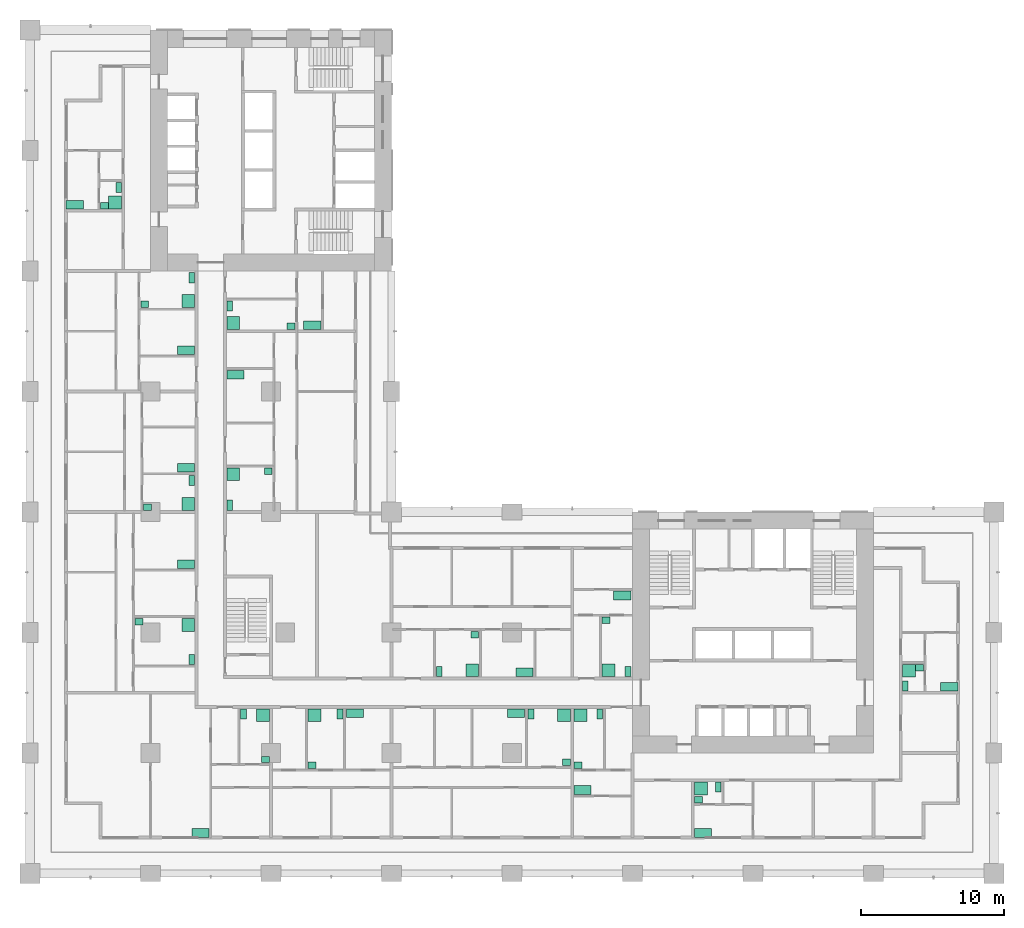
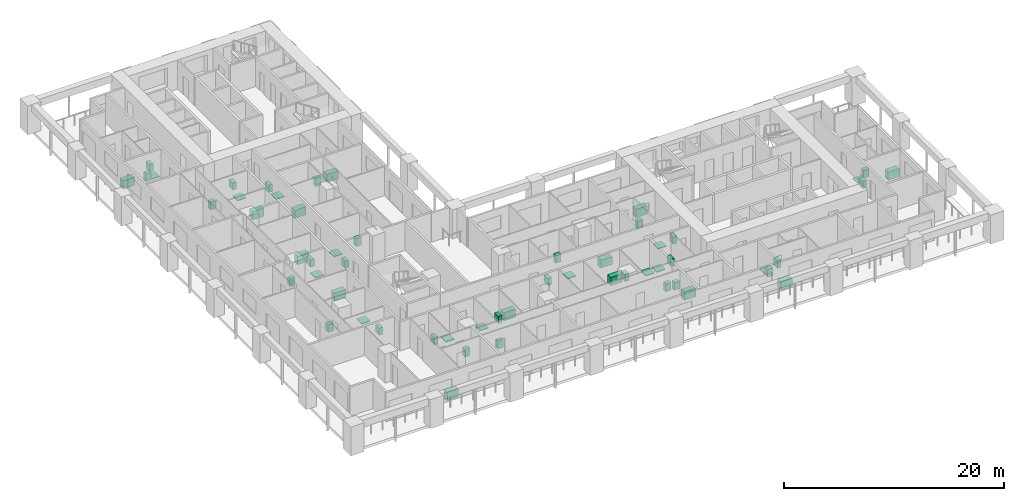
# One storey, part 19 of 19: 56 sanitary terminals.
"""IFC4 building model written with IfcOpenShell, lengths in metres."""

from ifc_helpers import new_model, si_unit, direction, frame, origin, origin_2d, place, context, subcontext, project, spatial, rectangle, extrude, material, element, save


model = new_model("IFC4")

# Units and contexts
model_context = context("Model", 3, precision=1e-05, world=origin(), true_north=direction((0.0, 1.0)))
body_context = subcontext(model_context, "Body", "Model", "MODEL_VIEW")
ifc_project = project(units=[si_unit("LENGTHUNIT", "METRE"), si_unit("AREAUNIT", "SQUARE_METRE"), si_unit("VOLUMEUNIT", "CUBIC_METRE"), si_unit("PLANEANGLEUNIT", "RADIAN"), si_unit("MASSUNIT", "GRAM", prefix="KILO")], contexts=[model_context])

# Site, building, storey
site_placement = place(None, origin())
site = spatial("IfcSite", under=ifc_project, at=site_placement, CompositionType="ELEMENT")
building_placement = place(site_placement, origin())
building = spatial("IfcBuilding", under=site, at=building_placement, Name="Vermilion Gate Residences", CompositionType="ELEMENT")
storey_placement = place(building_placement, frame((0.0, 0.0, 46.199951171875)))
storey = spatial("IfcBuildingStorey", under=building, at=storey_placement, Name="L10", CompositionType="ELEMENT", Elevation=46.199951171875)

# Sanitary terminals
ifc_material_1 = material(Name="Stainless steel", Category="steel")
sanitary_terminal_1_placement = place(storey_placement, frame((11.8798828125, 2.820068359375, 0.0), z_axis=(0.0, 0.0, 1.0), x_axis=(1.0, 0.0, 0.0)))
element("IfcSanitaryTerminal", 1, at=sanitary_terminal_1_placement, inside=storey, material=ifc_material_1, Name="Kitchen sink", PredefinedType="SINK", context=body_context, shape_type="SweptSolid", body=[
    extrude(rectangle(XDim=1.199951171875, YDim=0.60009765625, at=origin_2d()), origin(), (0.0, 0.0, 1.0), 0.89990234375),
])
ifc_material_2 = material(Name="Vitreous china")
sanitary_terminal_2_placement = place(storey_placement, frame((16.22998046875, 11.030029296875, 0.0), z_axis=(0.0, 0.0, 1.0), x_axis=(1.0, 0.0, 0.0)))
element("IfcSanitaryTerminal", 2, at=sanitary_terminal_2_placement, inside=storey, material=ifc_material_2, Name="Shower tray", PredefinedType="SHOWER", context=body_context, shape_type="SweptSolid", body=[
    extrude(rectangle(XDim=0.89990234375, YDim=0.89990234375, at=origin_2d()), origin(), (0.0, 0.0, 1.0), 0.10009765625),
])
sanitary_terminal_3_placement = place(storey_placement, frame((14.8798828125, 11.1298828125, 0.0), z_axis=(0.0, 0.0, 1.0), x_axis=(1.0, 0.0, 0.0)))
element("IfcSanitaryTerminal", 3, at=sanitary_terminal_3_placement, inside=storey, material=ifc_material_2, Name="Toilet", PredefinedType="TOILETPAN", context=body_context, shape_type="SweptSolid", body=[
    extrude(rectangle(XDim=0.39990234375, YDim=0.699951171875, at=origin_2d()), origin(), (0.0, 0.0, 1.0), 0.800048828125),
])
sanitary_terminal_4_placement = place(storey_placement, frame((16.405029296875, 7.945068359375, 0.0), z_axis=(0.0, 0.0, 1.0), x_axis=(1.0, 0.0, 0.0)))
element("IfcSanitaryTerminal", 4, at=sanitary_terminal_4_placement, inside=storey, material=ifc_material_2, Name="Wash basin", PredefinedType="WASHHANDBASIN", context=body_context, shape_type="SweptSolid", body=[
    extrude(rectangle(XDim=0.550048828125, YDim=0.449951171875, at=origin_2d()), origin(), (0.0, 0.0, 1.0), 0.85009765625),
])
sanitary_terminal_5_placement = place(storey_placement, frame((19.8369140625, 11.030029296875, 0.0), z_axis=(0.0, 0.0, 1.0), x_axis=(1.0, 0.0, 0.0)))
element("IfcSanitaryTerminal", 5, at=sanitary_terminal_5_placement, inside=storey, material=ifc_material_2, Name="Shower tray", PredefinedType="SHOWER", context=body_context, shape_type="SweptSolid", body=[
    extrude(rectangle(XDim=0.89990234375, YDim=0.89990234375, at=origin_2d()), origin(), (0.0, 0.0, 1.0), 0.10009765625),
])
sanitary_terminal_6_placement = place(storey_placement, frame((21.613037109375, 11.1298828125, 0.0), z_axis=(0.0, 0.0, 1.0), x_axis=(1.0, 0.0, 0.0)))
element("IfcSanitaryTerminal", 6, at=sanitary_terminal_6_placement, inside=storey, material=ifc_material_2, Name="Toilet", PredefinedType="TOILETPAN", context=body_context, shape_type="SweptSolid", body=[
    extrude(rectangle(XDim=0.39990234375, YDim=0.699951171875, at=origin_2d()), origin(), (0.0, 0.0, 1.0), 0.800048828125),
])
sanitary_terminal_7_placement = place(storey_placement, frame((19.662109375, 7.544921875, 0.0), z_axis=(0.0, 0.0, 1.0), x_axis=(1.0, 0.0, 0.0)))
element("IfcSanitaryTerminal", 7, at=sanitary_terminal_7_placement, inside=storey, material=ifc_material_2, Name="Wash basin", PredefinedType="WASHHANDBASIN", context=body_context, shape_type="SweptSolid", body=[
    extrude(rectangle(XDim=0.550048828125, YDim=0.449951171875, at=origin_2d()), origin(), (0.0, 0.0, 1.0), 0.85009765625),
])
for number, where, z_axis, x_axis, name in (
    (8, (22.653076171875, 11.179931640625, 0.0), (0.0, 0.0, 1.0), (1.0, 0.0, 0.0), "Kitchen sink"),
    (9, (33.8798828125, 11.179931640625, 0.0), (0.0, 0.0, 1.0), (1.0, 0.0, 0.0), "Kitchen sink"),
):
    element("IfcSanitaryTerminal", number, at=place(storey_placement, frame(where, z_axis=z_axis, x_axis=x_axis)), inside=storey, material=ifc_material_1, Name=name, PredefinedType="SINK", context=body_context, shape_type="SweptSolid", body=[
        extrude(rectangle(XDim=1.199951171875, YDim=0.60009765625, at=origin_2d()), origin(), (0.0, 0.0, 1.0), 0.89990234375),
    ])
sanitary_terminal_8_placement = place(storey_placement, frame((37.22998046875, 11.030029296875, 0.0), z_axis=(0.0, 0.0, 1.0), x_axis=(1.0, 0.0, 0.0)))
element("IfcSanitaryTerminal", 10, at=sanitary_terminal_8_placement, inside=storey, material=ifc_material_2, Name="Shower tray", PredefinedType="SHOWER", context=body_context, shape_type="SweptSolid", body=[
    extrude(rectangle(XDim=0.89990234375, YDim=0.89990234375, at=origin_2d()), origin(), (0.0, 0.0, 1.0), 0.10009765625),
])
sanitary_terminal_9_placement = place(storey_placement, frame((34.919921875, 11.1298828125, 0.0), z_axis=(0.0, 0.0, 1.0), x_axis=(1.0, 0.0, 0.0)))
element("IfcSanitaryTerminal", 11, at=sanitary_terminal_9_placement, inside=storey, material=ifc_material_2, Name="Toilet", PredefinedType="TOILETPAN", context=body_context, shape_type="SweptSolid", body=[
    extrude(rectangle(XDim=0.39990234375, YDim=0.699951171875, at=origin_2d()), origin(), (0.0, 0.0, 1.0), 0.800048828125),
])
sanitary_terminal_10_placement = place(storey_placement, frame((37.405029296875, 7.7451171875, 0.0), z_axis=(0.0, 0.0, 1.0), x_axis=(1.0, 0.0, 0.0)))
element("IfcSanitaryTerminal", 12, at=sanitary_terminal_10_placement, inside=storey, material=ifc_material_2, Name="Wash basin", PredefinedType="WASHHANDBASIN", context=body_context, shape_type="SweptSolid", body=[
    extrude(rectangle(XDim=0.550048828125, YDim=0.449951171875, at=origin_2d()), origin(), (0.0, 0.0, 1.0), 0.85009765625),
])
sanitary_terminal_11_placement = place(storey_placement, frame((38.52001953125, 5.820068359375, 0.0), z_axis=(0.0, 0.0, 1.0), x_axis=(1.0, 0.0, 0.0)))
element("IfcSanitaryTerminal", 13, at=sanitary_terminal_11_placement, inside=storey, material=ifc_material_1, Name="Kitchen sink", PredefinedType="SINK", context=body_context, shape_type="SweptSolid", body=[
    extrude(rectangle(XDim=1.199951171875, YDim=0.60009765625, at=origin_2d()), origin(), (0.0, 0.0, 1.0), 0.89990234375),
])
sanitary_terminal_12_placement = place(storey_placement, frame((38.3701171875, 11.030029296875, 0.0), z_axis=(0.0, 0.0, 1.0), x_axis=(1.0, 0.0, 0.0)))
element("IfcSanitaryTerminal", 14, at=sanitary_terminal_12_placement, inside=storey, material=ifc_material_2, Name="Shower tray", PredefinedType="SHOWER", context=body_context, shape_type="SweptSolid", body=[
    extrude(rectangle(XDim=0.89990234375, YDim=0.89990234375, at=origin_2d()), origin(), (0.0, 0.0, 1.0), 0.10009765625),
])
sanitary_terminal_13_placement = place(storey_placement, frame((39.719970703125, 11.1298828125, 0.0), z_axis=(0.0, 0.0, 1.0), x_axis=(1.0, 0.0, 0.0)))
element("IfcSanitaryTerminal", 15, at=sanitary_terminal_13_placement, inside=storey, material=ifc_material_2, Name="Toilet", PredefinedType="TOILETPAN", context=body_context, shape_type="SweptSolid", body=[
    extrude(rectangle(XDim=0.39990234375, YDim=0.699951171875, at=origin_2d()), origin(), (0.0, 0.0, 1.0), 0.800048828125),
])
sanitary_terminal_14_placement = place(storey_placement, frame((38.195068359375, 7.544921875, 0.0), z_axis=(0.0, 0.0, 1.0), x_axis=(1.0, 0.0, 0.0)))
element("IfcSanitaryTerminal", 16, at=sanitary_terminal_14_placement, inside=storey, material=ifc_material_2, Name="Wash basin", PredefinedType="WASHHANDBASIN", context=body_context, shape_type="SweptSolid", body=[
    extrude(rectangle(XDim=0.550048828125, YDim=0.449951171875, at=origin_2d()), origin(), (0.0, 0.0, 1.0), 0.85009765625),
])
sanitary_terminal_15_placement = place(storey_placement, frame((30.830078125, 14.169921875, 0.0), z_axis=(0.0, 0.0, 1.0), x_axis=(1.0, 0.0, 0.0)))
element("IfcSanitaryTerminal", 17, at=sanitary_terminal_15_placement, inside=storey, material=ifc_material_2, Name="Shower tray", PredefinedType="SHOWER", context=body_context, shape_type="SweptSolid", body=[
    extrude(rectangle(XDim=0.89990234375, YDim=0.89990234375, at=origin_2d()), origin(), (0.0, 0.0, 1.0), 0.10009765625),
])
sanitary_terminal_16_placement = place(storey_placement, frame((28.52001953125, 14.070068359375, 0.0), z_axis=(0.0, 0.0, 1.0), x_axis=(1.0, 0.0, 0.0)))
element("IfcSanitaryTerminal", 18, at=sanitary_terminal_16_placement, inside=storey, material=ifc_material_2, Name="Toilet", PredefinedType="TOILETPAN", context=body_context, shape_type="SweptSolid", body=[
    extrude(rectangle(XDim=0.39990234375, YDim=0.699951171875, at=origin_2d()), origin(), (0.0, 0.0, 1.0), 0.800048828125),
])
sanitary_terminal_17_placement = place(storey_placement, frame((31.0048828125, 16.655029296875, 0.0), z_axis=(0.0, 0.0, 1.0), x_axis=(1.0, 0.0, 0.0)))
element("IfcSanitaryTerminal", 19, at=sanitary_terminal_17_placement, inside=storey, material=ifc_material_2, Name="Wash basin", PredefinedType="WASHHANDBASIN", context=body_context, shape_type="SweptSolid", body=[
    extrude(rectangle(XDim=0.550048828125, YDim=0.449951171875, at=origin_2d()), origin(), (0.0, 0.0, 1.0), 0.85009765625),
])
for number, where, z_axis, x_axis, name in (
    (20, (34.47998046875, 14.02001953125, 0.0), (0.0, 0.0, 1.0), (1.0, 0.0, 0.0), "Kitchen sink"),
    (21, (41.280029296875, 19.3798828125, 0.0), (0.0, 0.0, 1.0), (1.0, 0.0, 0.0), "Kitchen sink"),
):
    element("IfcSanitaryTerminal", number, at=place(storey_placement, frame(where, z_axis=z_axis, x_axis=x_axis)), inside=storey, material=ifc_material_1, Name=name, PredefinedType="SINK", context=body_context, shape_type="SweptSolid", body=[
        extrude(rectangle(XDim=1.199951171875, YDim=0.60009765625, at=origin_2d()), origin(), (0.0, 0.0, 1.0), 0.89990234375),
    ])
sanitary_terminal_18_placement = place(storey_placement, frame((40.330078125, 14.169921875, 0.0), z_axis=(0.0, 0.0, 1.0), x_axis=(1.0, 0.0, 0.0)))
element("IfcSanitaryTerminal", 22, at=sanitary_terminal_18_placement, inside=storey, material=ifc_material_2, Name="Shower tray", PredefinedType="SHOWER", context=body_context, shape_type="SweptSolid", body=[
    extrude(rectangle(XDim=0.89990234375, YDim=0.89990234375, at=origin_2d()), origin(), (0.0, 0.0, 1.0), 0.10009765625),
])
sanitary_terminal_19_placement = place(storey_placement, frame((41.679931640625, 14.070068359375, 0.0), z_axis=(0.0, 0.0, 1.0), x_axis=(1.0, 0.0, 0.0)))
element("IfcSanitaryTerminal", 23, at=sanitary_terminal_19_placement, inside=storey, material=ifc_material_2, Name="Toilet", PredefinedType="TOILETPAN", context=body_context, shape_type="SweptSolid", body=[
    extrude(rectangle(XDim=0.39990234375, YDim=0.699951171875, at=origin_2d()), origin(), (0.0, 0.0, 1.0), 0.800048828125),
])
sanitary_terminal_20_placement = place(storey_placement, frame((40.155029296875, 17.655029296875, 0.0), z_axis=(0.0, 0.0, 1.0), x_axis=(1.0, 0.0, 0.0)))
element("IfcSanitaryTerminal", 24, at=sanitary_terminal_20_placement, inside=storey, material=ifc_material_2, Name="Wash basin", PredefinedType="WASHHANDBASIN", context=body_context, shape_type="SweptSolid", body=[
    extrude(rectangle(XDim=0.550048828125, YDim=0.449951171875, at=origin_2d()), origin(), (0.0, 0.0, 1.0), 0.85009765625),
])
sanitary_terminal_21_placement = place(storey_placement, frame((11.030029296875, 17.330078125, 0.0), z_axis=(0.0, 0.0, 1.0), x_axis=(1.0, 0.0, 0.0)))
element("IfcSanitaryTerminal", 25, at=sanitary_terminal_21_placement, inside=storey, material=ifc_material_2, Name="Shower tray", PredefinedType="SHOWER", context=body_context, shape_type="SweptSolid", body=[
    extrude(rectangle(XDim=0.89990234375, YDim=0.89990234375, at=origin_2d()), origin(), (0.0, 0.0, 1.0), 0.10009765625),
])
sanitary_terminal_22_placement = place(storey_placement, frame((11.280029296875, 14.919921875, 0.0), z_axis=(0.0, 0.0, 1.0), x_axis=(1.0, 0.0, 0.0)))
element("IfcSanitaryTerminal", 26, at=sanitary_terminal_22_placement, inside=storey, material=ifc_material_2, Name="Toilet", PredefinedType="TOILETPAN", context=body_context, shape_type="SweptSolid", body=[
    extrude(rectangle(XDim=0.39990234375, YDim=0.699951171875, at=origin_2d()), origin(), (0.0, 0.0, 1.0), 0.800048828125),
])
sanitary_terminal_23_placement = place(storey_placement, frame((7.594970703125, 17.554931640625, 0.0), z_axis=(0.0, 0.0, 1.0), x_axis=(1.0, 0.0, 0.0)))
element("IfcSanitaryTerminal", 27, at=sanitary_terminal_23_placement, inside=storey, material=ifc_material_2, Name="Wash basin", PredefinedType="WASHHANDBASIN", context=body_context, shape_type="SweptSolid", body=[
    extrude(rectangle(XDim=0.550048828125, YDim=0.449951171875, at=origin_2d()), origin(), (0.0, 0.0, 1.0), 0.85009765625),
])
sanitary_terminal_24_placement = place(storey_placement, frame((10.8798828125, 21.570068359375, 0.0), z_axis=(0.0, 0.0, 1.0), x_axis=(1.0, 0.0, 0.0)))
element("IfcSanitaryTerminal", 28, at=sanitary_terminal_24_placement, inside=storey, material=ifc_material_1, Name="Kitchen sink", PredefinedType="SINK", context=body_context, shape_type="SweptSolid", body=[
    extrude(rectangle(XDim=1.199951171875, YDim=0.60009765625, at=origin_2d()), origin(), (0.0, 0.0, 1.0), 0.89990234375),
])
sanitary_terminal_25_placement = place(storey_placement, frame((11.030029296875, 25.77001953125, 0.0), z_axis=(0.0, 0.0, 1.0), x_axis=(1.0, 0.0, 0.0)))
element("IfcSanitaryTerminal", 29, at=sanitary_terminal_25_placement, inside=storey, material=ifc_material_2, Name="Shower tray", PredefinedType="SHOWER", context=body_context, shape_type="SweptSolid", body=[
    extrude(rectangle(XDim=0.89990234375, YDim=0.89990234375, at=origin_2d()), origin(), (0.0, 0.0, 1.0), 0.10009765625),
])
sanitary_terminal_26_placement = place(storey_placement, frame((11.280029296875, 27.39697265625, 0.0), z_axis=(0.0, 0.0, 1.0), x_axis=(1.0, 0.0, 0.0)))
element("IfcSanitaryTerminal", 30, at=sanitary_terminal_26_placement, inside=storey, material=ifc_material_2, Name="Toilet", PredefinedType="TOILETPAN", context=body_context, shape_type="SweptSolid", body=[
    extrude(rectangle(XDim=0.39990234375, YDim=0.699951171875, at=origin_2d()), origin(), (0.0, 0.0, 1.0), 0.800048828125),
])
sanitary_terminal_27_placement = place(storey_placement, frame((8.195068359375, 25.544921875, 0.0), z_axis=(0.0, 0.0, 1.0), x_axis=(1.0, 0.0, 0.0)))
element("IfcSanitaryTerminal", 31, at=sanitary_terminal_27_placement, inside=storey, material=ifc_material_2, Name="Wash basin", PredefinedType="WASHHANDBASIN", context=body_context, shape_type="SweptSolid", body=[
    extrude(rectangle(XDim=0.550048828125, YDim=0.449951171875, at=origin_2d()), origin(), (0.0, 0.0, 1.0), 0.85009765625),
])
for number, where, z_axis, x_axis, name in (
    (32, (10.8798828125, 28.287109375, 0.0), (0.0, 0.0, 1.0), (1.0, 0.0, 0.0), "Kitchen sink"),
    (33, (10.8798828125, 36.487060546875, 0.0), (0.0, 0.0, 1.0), (1.0, 0.0, 0.0), "Kitchen sink"),
):
    element("IfcSanitaryTerminal", number, at=place(storey_placement, frame(where, z_axis=z_axis, x_axis=x_axis)), inside=storey, material=ifc_material_1, Name=name, PredefinedType="SINK", context=body_context, shape_type="SweptSolid", body=[
        extrude(rectangle(XDim=1.199951171875, YDim=0.60009765625, at=origin_2d()), origin(), (0.0, 0.0, 1.0), 0.89990234375),
    ])
sanitary_terminal_28_placement = place(storey_placement, frame((11.030029296875, 39.903076171875, 0.0), z_axis=(0.0, 0.0, 1.0), x_axis=(1.0, 0.0, 0.0)))
element("IfcSanitaryTerminal", 34, at=sanitary_terminal_28_placement, inside=storey, material=ifc_material_2, Name="Shower tray", PredefinedType="SHOWER", context=body_context, shape_type="SweptSolid", body=[
    extrude(rectangle(XDim=0.89990234375, YDim=0.89990234375, at=origin_2d()), origin(), (0.0, 0.0, 1.0), 0.10009765625),
])
sanitary_terminal_29_placement = place(storey_placement, frame((11.280029296875, 41.530029296875, 0.0), z_axis=(0.0, 0.0, 1.0), x_axis=(1.0, 0.0, 0.0)))
element("IfcSanitaryTerminal", 35, at=sanitary_terminal_29_placement, inside=storey, material=ifc_material_2, Name="Toilet", PredefinedType="TOILETPAN", context=body_context, shape_type="SweptSolid", body=[
    extrude(rectangle(XDim=0.39990234375, YDim=0.699951171875, at=origin_2d()), origin(), (0.0, 0.0, 1.0), 0.800048828125),
])
sanitary_terminal_30_placement = place(storey_placement, frame((7.9951171875, 39.677978515625, 0.0), z_axis=(0.0, 0.0, 1.0), x_axis=(1.0, 0.0, 0.0)))
element("IfcSanitaryTerminal", 36, at=sanitary_terminal_30_placement, inside=storey, material=ifc_material_2, Name="Wash basin", PredefinedType="WASHHANDBASIN", context=body_context, shape_type="SweptSolid", body=[
    extrude(rectangle(XDim=0.550048828125, YDim=0.449951171875, at=origin_2d()), origin(), (0.0, 0.0, 1.0), 0.85009765625),
])
sanitary_terminal_31_placement = place(storey_placement, frame((14.169921875, 27.830078125, 0.0), z_axis=(0.0, 0.0, 1.0), x_axis=(1.0, 0.0, 0.0)))
element("IfcSanitaryTerminal", 37, at=sanitary_terminal_31_placement, inside=storey, material=ifc_material_2, Name="Shower tray", PredefinedType="SHOWER", context=body_context, shape_type="SweptSolid", body=[
    extrude(rectangle(XDim=0.89990234375, YDim=0.89990234375, at=origin_2d()), origin(), (0.0, 0.0, 1.0), 0.10009765625),
])
sanitary_terminal_32_placement = place(storey_placement, frame((13.919921875, 25.669921875, 0.0), z_axis=(0.0, 0.0, 1.0), x_axis=(1.0, 0.0, 0.0)))
element("IfcSanitaryTerminal", 38, at=sanitary_terminal_32_placement, inside=storey, material=ifc_material_2, Name="Toilet", PredefinedType="TOILETPAN", context=body_context, shape_type="SweptSolid", body=[
    extrude(rectangle(XDim=0.39990234375, YDim=0.699951171875, at=origin_2d()), origin(), (0.0, 0.0, 1.0), 0.800048828125),
])
sanitary_terminal_33_placement = place(storey_placement, frame((16.60498046875, 28.054931640625, 0.0), z_axis=(0.0, 0.0, 1.0), x_axis=(1.0, 0.0, 0.0)))
element("IfcSanitaryTerminal", 39, at=sanitary_terminal_33_placement, inside=storey, material=ifc_material_2, Name="Wash basin", PredefinedType="WASHHANDBASIN", context=body_context, shape_type="SweptSolid", body=[
    extrude(rectangle(XDim=0.550048828125, YDim=0.449951171875, at=origin_2d()), origin(), (0.0, 0.0, 1.0), 0.85009765625),
])
for number, where, z_axis, x_axis, name in (
    (40, (14.320068359375, 34.780029296875, 0.0), (0.0, 0.0, 1.0), (1.0, 0.0, 0.0), "Kitchen sink"),
    (41, (19.679931640625, 38.219970703125, 0.0), (0.0, 0.0, 1.0), (1.0, 0.0, 0.0), "Kitchen sink"),
):
    element("IfcSanitaryTerminal", number, at=place(storey_placement, frame(where, z_axis=z_axis, x_axis=x_axis)), inside=storey, material=ifc_material_1, Name=name, PredefinedType="SINK", context=body_context, shape_type="SweptSolid", body=[
        extrude(rectangle(XDim=1.199951171875, YDim=0.60009765625, at=origin_2d()), origin(), (0.0, 0.0, 1.0), 0.89990234375),
    ])
sanitary_terminal_34_placement = place(storey_placement, frame((14.169921875, 38.3701171875, 0.0), z_axis=(0.0, 0.0, 1.0), x_axis=(1.0, 0.0, 0.0)))
element("IfcSanitaryTerminal", 42, at=sanitary_terminal_34_placement, inside=storey, material=ifc_material_2, Name="Shower tray", PredefinedType="SHOWER", context=body_context, shape_type="SweptSolid", body=[
    extrude(rectangle(XDim=0.89990234375, YDim=0.89990234375, at=origin_2d()), origin(), (0.0, 0.0, 1.0), 0.10009765625),
])
sanitary_terminal_35_placement = place(storey_placement, frame((13.919921875, 39.570068359375, 0.0), z_axis=(0.0, 0.0, 1.0), x_axis=(1.0, 0.0, 0.0)))
element("IfcSanitaryTerminal", 43, at=sanitary_terminal_35_placement, inside=storey, material=ifc_material_2, Name="Toilet", PredefinedType="TOILETPAN", context=body_context, shape_type="SweptSolid", body=[
    extrude(rectangle(XDim=0.39990234375, YDim=0.699951171875, at=origin_2d()), origin(), (0.0, 0.0, 1.0), 0.800048828125),
])
sanitary_terminal_36_placement = place(storey_placement, frame((18.205078125, 38.14501953125, 0.0), z_axis=(0.0, 0.0, 1.0), x_axis=(1.0, 0.0, 0.0)))
element("IfcSanitaryTerminal", 44, at=sanitary_terminal_36_placement, inside=storey, material=ifc_material_2, Name="Wash basin", PredefinedType="WASHHANDBASIN", context=body_context, shape_type="SweptSolid", body=[
    extrude(rectangle(XDim=0.550048828125, YDim=0.449951171875, at=origin_2d()), origin(), (0.0, 0.0, 1.0), 0.85009765625),
])
sanitary_terminal_37_placement = place(storey_placement, frame((46.919921875, 2.820068359375, 0.0), z_axis=(0.0, 0.0, 1.0), x_axis=(1.0, 0.0, 0.0)))
element("IfcSanitaryTerminal", 45, at=sanitary_terminal_37_placement, inside=storey, material=ifc_material_1, Name="Kitchen sink", PredefinedType="SINK", context=body_context, shape_type="SweptSolid", body=[
    extrude(rectangle(XDim=1.199951171875, YDim=0.60009765625, at=origin_2d()), origin(), (0.0, 0.0, 1.0), 0.89990234375),
])
sanitary_terminal_38_placement = place(storey_placement, frame((46.77001953125, 5.929931640625, 0.0), z_axis=(0.0, 0.0, 1.0), x_axis=(1.0, 0.0, 0.0)))
element("IfcSanitaryTerminal", 46, at=sanitary_terminal_38_placement, inside=storey, material=ifc_material_2, Name="Shower tray", PredefinedType="SHOWER", context=body_context, shape_type="SweptSolid", body=[
    extrude(rectangle(XDim=0.89990234375, YDim=0.89990234375, at=origin_2d()), origin(), (0.0, 0.0, 1.0), 0.10009765625),
])
sanitary_terminal_39_placement = place(storey_placement, frame((47.97998046875, 6.030029296875, 0.0), z_axis=(0.0, 0.0, 1.0), x_axis=(1.0, 0.0, 0.0)))
element("IfcSanitaryTerminal", 47, at=sanitary_terminal_39_placement, inside=storey, material=ifc_material_2, Name="Toilet", PredefinedType="TOILETPAN", context=body_context, shape_type="SweptSolid", body=[
    extrude(rectangle(XDim=0.39990234375, YDim=0.699951171875, at=origin_2d()), origin(), (0.0, 0.0, 1.0), 0.800048828125),
])
sanitary_terminal_40_placement = place(storey_placement, frame((46.594970703125, 5.14501953125, 0.0), z_axis=(0.0, 0.0, 1.0), x_axis=(1.0, 0.0, 0.0)))
element("IfcSanitaryTerminal", 48, at=sanitary_terminal_40_placement, inside=storey, material=ifc_material_2, Name="Wash basin", PredefinedType="WASHHANDBASIN", context=body_context, shape_type="SweptSolid", body=[
    extrude(rectangle(XDim=0.550048828125, YDim=0.449951171875, at=origin_2d()), origin(), (0.0, 0.0, 1.0), 0.85009765625),
])
sanitary_terminal_41_placement = place(storey_placement, frame((64.080078125, 13.02001953125, 0.0), z_axis=(0.0, 0.0, 1.0), x_axis=(1.0, 0.0, 0.0)))
element("IfcSanitaryTerminal", 49, at=sanitary_terminal_41_placement, inside=storey, material=ifc_material_1, Name="Kitchen sink", PredefinedType="SINK", context=body_context, shape_type="SweptSolid", body=[
    extrude(rectangle(XDim=1.199951171875, YDim=0.60009765625, at=origin_2d()), origin(), (0.0, 0.0, 1.0), 0.89990234375),
])
sanitary_terminal_42_placement = place(storey_placement, frame((61.27001953125, 14.1298828125, 0.0), z_axis=(0.0, 0.0, 1.0), x_axis=(1.0, 0.0, 0.0)))
element("IfcSanitaryTerminal", 50, at=sanitary_terminal_42_placement, inside=storey, material=ifc_material_2, Name="Shower tray", PredefinedType="SHOWER", context=body_context, shape_type="SweptSolid", body=[
    extrude(rectangle(XDim=0.89990234375, YDim=0.89990234375, at=origin_2d()), origin(), (0.0, 0.0, 1.0), 0.10009765625),
])
sanitary_terminal_43_placement = place(storey_placement, frame((61.02001953125, 13.070068359375, 0.0), z_axis=(0.0, 0.0, 1.0), x_axis=(1.0, 0.0, 0.0)))
element("IfcSanitaryTerminal", 51, at=sanitary_terminal_43_placement, inside=storey, material=ifc_material_2, Name="Toilet", PredefinedType="TOILETPAN", context=body_context, shape_type="SweptSolid", body=[
    extrude(rectangle(XDim=0.39990234375, YDim=0.699951171875, at=origin_2d()), origin(), (0.0, 0.0, 1.0), 0.800048828125),
])
sanitary_terminal_44_placement = place(storey_placement, frame((62.0048828125, 14.35498046875, 0.0), z_axis=(0.0, 0.0, 1.0), x_axis=(1.0, 0.0, 0.0)))
element("IfcSanitaryTerminal", 52, at=sanitary_terminal_44_placement, inside=storey, material=ifc_material_2, Name="Wash basin", PredefinedType="WASHHANDBASIN", context=body_context, shape_type="SweptSolid", body=[
    extrude(rectangle(XDim=0.550048828125, YDim=0.449951171875, at=origin_2d()), origin(), (0.0, 0.0, 1.0), 0.85009765625),
])
sanitary_terminal_45_placement = place(storey_placement, frame((3.1201171875, 46.6201171875, 0.0), z_axis=(0.0, 0.0, 1.0), x_axis=(1.0, 0.0, 0.0)))
element("IfcSanitaryTerminal", 53, at=sanitary_terminal_45_placement, inside=storey, material=ifc_material_1, Name="Kitchen sink", PredefinedType="SINK", context=body_context, shape_type="SweptSolid", body=[
    extrude(rectangle(XDim=1.199951171875, YDim=0.60009765625, at=origin_2d()), origin(), (0.0, 0.0, 1.0), 0.89990234375),
])
sanitary_terminal_46_placement = place(storey_placement, frame((5.929931640625, 46.77001953125, 0.0), z_axis=(0.0, 0.0, 1.0), x_axis=(1.0, 0.0, 0.0)))
element("IfcSanitaryTerminal", 54, at=sanitary_terminal_46_placement, inside=storey, material=ifc_material_2, Name="Shower tray", PredefinedType="SHOWER", context=body_context, shape_type="SweptSolid", body=[
    extrude(rectangle(XDim=0.89990234375, YDim=0.89990234375, at=origin_2d()), origin(), (0.0, 0.0, 1.0), 0.10009765625),
])
sanitary_terminal_47_placement = place(storey_placement, frame((6.179931640625, 47.830078125, 0.0), z_axis=(0.0, 0.0, 1.0), x_axis=(1.0, 0.0, 0.0)))
element("IfcSanitaryTerminal", 55, at=sanitary_terminal_47_placement, inside=storey, material=ifc_material_2, Name="Toilet", PredefinedType="TOILETPAN", context=body_context, shape_type="SweptSolid", body=[
    extrude(rectangle(XDim=0.39990234375, YDim=0.699951171875, at=origin_2d()), origin(), (0.0, 0.0, 1.0), 0.800048828125),
])
sanitary_terminal_48_placement = place(storey_placement, frame((5.195068359375, 46.544921875, 0.0), z_axis=(0.0, 0.0, 1.0), x_axis=(1.0, 0.0, 0.0)))
element("IfcSanitaryTerminal", 56, at=sanitary_terminal_48_placement, inside=storey, material=ifc_material_2, Name="Wash basin", PredefinedType="WASHHANDBASIN", context=body_context, shape_type="SweptSolid", body=[
    extrude(rectangle(XDim=0.550048828125, YDim=0.449951171875, at=origin_2d()), origin(), (0.0, 0.0, 1.0), 0.85009765625),
])

save(model, "model.ifc")
